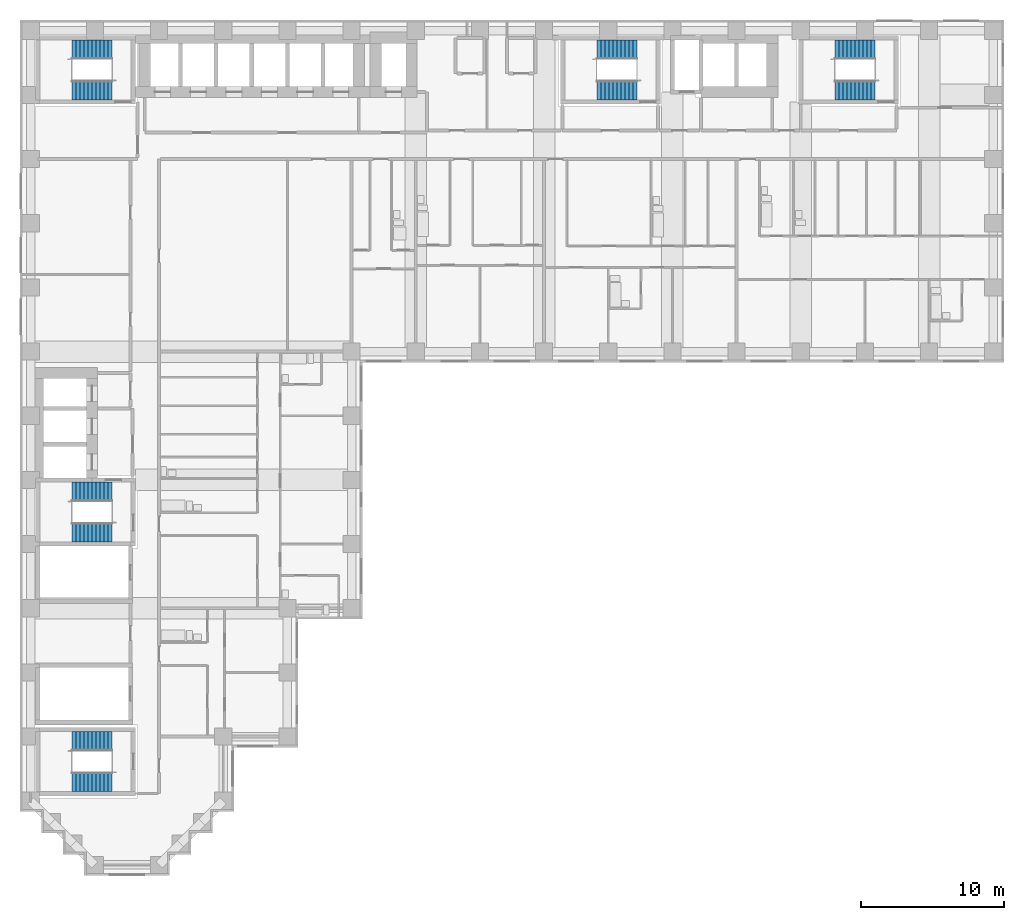
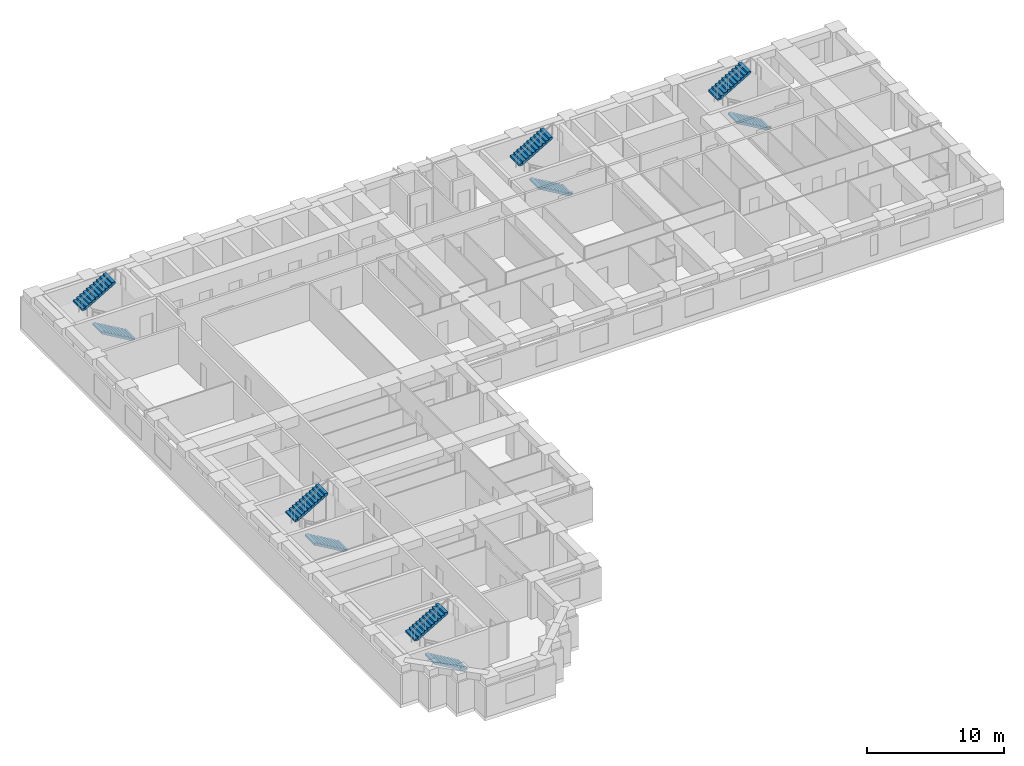
# One storey, part 10 of 12: 10 stair flights, 5 elements without a shape of their own.
"""IFC4 building model written with IfcOpenShell, lengths in metres."""

from ifc_helpers import new_model, si_unit, direction, frame, origin, place, context, subcontext, project, spatial, polyline, outline, extrude, material, type_object, element, aggregate, save


model = new_model("IFC4")

# Units and contexts
model_context = context("Model", 3, precision=1e-05, world=origin(), true_north=direction((0.0, 1.0)))
body_context = subcontext(model_context, "Body", "Model", "MODEL_VIEW")
ifc_project = project(units=[si_unit("LENGTHUNIT", "METRE"), si_unit("AREAUNIT", "SQUARE_METRE"), si_unit("VOLUMEUNIT", "CUBIC_METRE"), si_unit("PLANEANGLEUNIT", "RADIAN"), si_unit("MASSUNIT", "GRAM", prefix="KILO")], contexts=[model_context])

# Site, building, storey
site_placement = place(None, origin())
site = spatial("IfcSite", under=ifc_project, at=site_placement, CompositionType="ELEMENT")
building_placement = place(site_placement, origin())
building = spatial("IfcBuilding", under=site, at=building_placement, Name="Firuza Court", CompositionType="ELEMENT")
storey_placement = place(building_placement, frame((0.0, 0.0, 101.0)))
storey = spatial("IfcBuildingStorey", under=building, at=storey_placement, Name="L25", CompositionType="ELEMENT", Elevation=101.0)

# Stair, stair flights
ifc_material_1 = material(Name="Concrete C40/50 precast", Category="concrete")
stair_type = type_object("IfcStairType", Name="Stair 1350 x 3600 2 flights", PredefinedType="HALF_TURN_STAIR", material=ifc_material_1)
stair_1_placement = place(storey_placement, origin())
stair_1 = element("IfcStair", 1, at=stair_1_placement, inside=storey, type_object=stair_type, Name="Stair 1 L25", PredefinedType="HALF_TURN_STAIR")
ifc_material_2 = material(Name="Concrete C40/50 precast", Category="concrete")
stair_flight_type = type_object("IfcStairFlightType", Name="Flight 1350 riser 163.6", PredefinedType="STRAIGHT", material=ifc_material_2)
stair_flight_1_placement = place(storey_placement, frame((42.5, 54.324951171875, 0.0), z_axis=(0.0, 0.0, 1.0), x_axis=(-1.0, 0.0, 0.0)))
stair_flight_1 = element("IfcStairFlight", 2, at=stair_flight_1_placement, type_object=stair_flight_type, Name="S1 flight 1", NumberOfRisers=11, NumberOfTreads=10, PredefinedType="STRAIGHT", RiserHeight=0.163636364, TreadLength=0.28, context=body_context, shape_type="SweptSolid", body=[
    extrude(outline(polyline([(0.0, 0.0), (0.0, 0.16357421875), (0.280029296875, 0.16357421875), (0.280029296875, 0.327392578125), (0.56005859375, 0.327392578125), (0.56005859375, 0.490966796875), (0.840087890625, 0.490966796875), (0.840087890625, 0.654541015625), (1.1201171875, 0.654541015625), (1.1201171875, 0.818115234375), (1.39990234375, 0.818115234375), (1.39990234375, 0.98193359375), (1.679931640625, 0.98193359375), (1.679931640625, 1.1455078125), (1.9599609375, 1.1455078125), (1.9599609375, 1.30908203125), (2.239990234375, 1.30908203125), (2.239990234375, 1.47265625), (2.52001953125, 1.47265625), (2.52001953125, 1.636474609375), (2.800048828125, 1.636474609375), (2.800048828125, 1.800048828125), (2.800048828125, 1.462646484375), (0.297119140625, 0.0), (0.0, 0.0)])), frame((0.0, 0.675048828125, 0.0), z_axis=(0.0, -1.0, 0.0), x_axis=(1.0, 0.0, 0.0)), (0.0, 0.0, 1.0), 1.35009765625),
])
stair_flight_2_placement = place(storey_placement, frame((39.699951171875, 57.175048828125, 1.800048828125), z_axis=(0.0, 0.0, 1.0), x_axis=(1.0, 0.0, 0.0)))
stair_flight_2 = element("IfcStairFlight", 3, at=stair_flight_2_placement, type_object=stair_flight_type, Name="S1 flight 2", NumberOfRisers=11, NumberOfTreads=10, PredefinedType="STRAIGHT", RiserHeight=0.163636364, TreadLength=0.28, context=body_context, shape_type="SweptSolid", body=[
    extrude(outline(polyline([(0.0, 0.0), (0.0, 0.16357421875), (0.280029296875, 0.16357421875), (0.280029296875, 0.327392578125), (0.56005859375, 0.327392578125), (0.56005859375, 0.490966796875), (0.840087890625, 0.490966796875), (0.840087890625, 0.654541015625), (1.1201171875, 0.654541015625), (1.1201171875, 0.818115234375), (1.39990234375, 0.818115234375), (1.39990234375, 0.98193359375), (1.679931640625, 0.98193359375), (1.679931640625, 1.1455078125), (1.9599609375, 1.1455078125), (1.9599609375, 1.30908203125), (2.239990234375, 1.30908203125), (2.239990234375, 1.47265625), (2.52001953125, 1.47265625), (2.52001953125, 1.636474609375), (2.800048828125, 1.636474609375), (2.800048828125, 1.800048828125), (2.800048828125, 1.462646484375), (0.297119140625, 0.0), (0.0, 0.0)])), frame((0.0, 0.675048828125, 0.0), z_axis=(0.0, -1.0, 0.0), x_axis=(1.0, 0.0, 0.0)), (0.0, 0.0, 1.0), 1.35009765625),
])
aggregate(stair_1, [stair_flight_1, stair_flight_2])

stair_2_placement = place(storey_placement, origin())
stair_2 = element("IfcStair", 4, at=stair_2_placement, inside=storey, type_object=stair_type, Name="Stair 2 L25", PredefinedType="HALF_TURN_STAIR")
stair_flight_3_placement = place(storey_placement, frame((5.699951171875, 23.324951171875, 0.0), z_axis=(0.0, 0.0, 1.0), x_axis=(-1.0, 0.0, 0.0)))
stair_flight_3 = element("IfcStairFlight", 5, at=stair_flight_3_placement, type_object=stair_flight_type, Name="S2 flight 1", NumberOfRisers=11, NumberOfTreads=10, PredefinedType="STRAIGHT", RiserHeight=0.163636364, TreadLength=0.28, context=body_context, shape_type="SweptSolid", body=[
    extrude(outline(polyline([(0.0, 0.0), (0.0, 0.16357421875), (0.280029296875, 0.16357421875), (0.280029296875, 0.327392578125), (0.56005859375, 0.327392578125), (0.56005859375, 0.490966796875), (0.840087890625, 0.490966796875), (0.840087890625, 0.654541015625), (1.1201171875, 0.654541015625), (1.1201171875, 0.818115234375), (1.39990234375, 0.818115234375), (1.39990234375, 0.98193359375), (1.679931640625, 0.98193359375), (1.679931640625, 1.1455078125), (1.9599609375, 1.1455078125), (1.9599609375, 1.30908203125), (2.239990234375, 1.30908203125), (2.239990234375, 1.47265625), (2.52001953125, 1.47265625), (2.52001953125, 1.636474609375), (2.800048828125, 1.636474609375), (2.800048828125, 1.800048828125), (2.800048828125, 1.462646484375), (0.297119140625, 0.0), (0.0, 0.0)])), frame((0.0, 0.675048828125, 0.0), z_axis=(0.0, -1.0, 0.0), x_axis=(1.0, 0.0, 0.0)), (0.0, 0.0, 1.0), 1.35009765625),
])
stair_flight_4_placement = place(storey_placement, frame((2.89990234375, 26.175048828125, 1.800048828125), z_axis=(0.0, 0.0, 1.0), x_axis=(1.0, 0.0, 0.0)))
stair_flight_4 = element("IfcStairFlight", 6, at=stair_flight_4_placement, type_object=stair_flight_type, Name="S2 flight 2", NumberOfRisers=11, NumberOfTreads=10, PredefinedType="STRAIGHT", RiserHeight=0.163636364, TreadLength=0.28, context=body_context, shape_type="SweptSolid", body=[
    extrude(outline(polyline([(0.0, 0.0), (0.0, 0.16357421875), (0.280029296875, 0.16357421875), (0.280029296875, 0.327392578125), (0.56005859375, 0.327392578125), (0.56005859375, 0.490966796875), (0.840087890625, 0.490966796875), (0.840087890625, 0.654541015625), (1.1201171875, 0.654541015625), (1.1201171875, 0.818115234375), (1.39990234375, 0.818115234375), (1.39990234375, 0.98193359375), (1.679931640625, 0.98193359375), (1.679931640625, 1.1455078125), (1.9599609375, 1.1455078125), (1.9599609375, 1.30908203125), (2.239990234375, 1.30908203125), (2.239990234375, 1.47265625), (2.52001953125, 1.47265625), (2.52001953125, 1.636474609375), (2.800048828125, 1.636474609375), (2.800048828125, 1.800048828125), (2.800048828125, 1.462646484375), (0.297119140625, 0.0), (0.0, 0.0)])), frame((0.0, 0.675048828125, 0.0), z_axis=(0.0, -1.0, 0.0), x_axis=(1.0, 0.0, 0.0)), (0.0, 0.0, 1.0), 1.35009765625),
])
aggregate(stair_2, [stair_flight_3, stair_flight_4])

stair_3_placement = place(storey_placement, origin())
stair_3 = element("IfcStair", 7, at=stair_3_placement, inside=storey, type_object=stair_type, Name="Stair 3 L25", PredefinedType="HALF_TURN_STAIR")
stair_flight_5_placement = place(storey_placement, frame((5.699951171875, 54.324951171875, 0.0), z_axis=(0.0, 0.0, 1.0), x_axis=(-1.0, 0.0, 0.0)))
stair_flight_5 = element("IfcStairFlight", 8, at=stair_flight_5_placement, type_object=stair_flight_type, Name="S3 flight 1", NumberOfRisers=11, NumberOfTreads=10, PredefinedType="STRAIGHT", RiserHeight=0.163636364, TreadLength=0.28, context=body_context, shape_type="SweptSolid", body=[
    extrude(outline(polyline([(0.0, 0.0), (0.0, 0.16357421875), (0.280029296875, 0.16357421875), (0.280029296875, 0.327392578125), (0.56005859375, 0.327392578125), (0.56005859375, 0.490966796875), (0.840087890625, 0.490966796875), (0.840087890625, 0.654541015625), (1.1201171875, 0.654541015625), (1.1201171875, 0.818115234375), (1.39990234375, 0.818115234375), (1.39990234375, 0.98193359375), (1.679931640625, 0.98193359375), (1.679931640625, 1.1455078125), (1.9599609375, 1.1455078125), (1.9599609375, 1.30908203125), (2.239990234375, 1.30908203125), (2.239990234375, 1.47265625), (2.52001953125, 1.47265625), (2.52001953125, 1.636474609375), (2.800048828125, 1.636474609375), (2.800048828125, 1.800048828125), (2.800048828125, 1.462646484375), (0.297119140625, 0.0), (0.0, 0.0)])), frame((0.0, 0.675048828125, 0.0), z_axis=(0.0, -1.0, 0.0), x_axis=(1.0, 0.0, 0.0)), (0.0, 0.0, 1.0), 1.35009765625),
])
stair_flight_6_placement = place(storey_placement, frame((2.89990234375, 57.175048828125, 1.800048828125), z_axis=(0.0, 0.0, 1.0), x_axis=(1.0, 0.0, 0.0)))
stair_flight_6 = element("IfcStairFlight", 9, at=stair_flight_6_placement, type_object=stair_flight_type, Name="S3 flight 2", NumberOfRisers=11, NumberOfTreads=10, PredefinedType="STRAIGHT", RiserHeight=0.163636364, TreadLength=0.28, context=body_context, shape_type="SweptSolid", body=[
    extrude(outline(polyline([(0.0, 0.0), (0.0, 0.16357421875), (0.280029296875, 0.16357421875), (0.280029296875, 0.327392578125), (0.56005859375, 0.327392578125), (0.56005859375, 0.490966796875), (0.840087890625, 0.490966796875), (0.840087890625, 0.654541015625), (1.1201171875, 0.654541015625), (1.1201171875, 0.818115234375), (1.39990234375, 0.818115234375), (1.39990234375, 0.98193359375), (1.679931640625, 0.98193359375), (1.679931640625, 1.1455078125), (1.9599609375, 1.1455078125), (1.9599609375, 1.30908203125), (2.239990234375, 1.30908203125), (2.239990234375, 1.47265625), (2.52001953125, 1.47265625), (2.52001953125, 1.636474609375), (2.800048828125, 1.636474609375), (2.800048828125, 1.800048828125), (2.800048828125, 1.462646484375), (0.297119140625, 0.0), (0.0, 0.0)])), frame((0.0, 0.675048828125, 0.0), z_axis=(0.0, -1.0, 0.0), x_axis=(1.0, 0.0, 0.0)), (0.0, 0.0, 1.0), 1.35009765625),
])
aggregate(stair_3, [stair_flight_5, stair_flight_6])

stair_4_placement = place(storey_placement, origin())
stair_4 = element("IfcStair", 10, at=stair_4_placement, inside=storey, type_object=stair_type, Name="Stair 4 L25", PredefinedType="HALF_TURN_STAIR")
stair_flight_7_placement = place(storey_placement, frame((59.199951171875, 54.324951171875, 0.0), z_axis=(0.0, 0.0, 1.0), x_axis=(-1.0, 0.0, 0.0)))
stair_flight_7 = element("IfcStairFlight", 11, at=stair_flight_7_placement, type_object=stair_flight_type, Name="S4 flight 1", NumberOfRisers=11, NumberOfTreads=10, PredefinedType="STRAIGHT", RiserHeight=0.163636364, TreadLength=0.28, context=body_context, shape_type="SweptSolid", body=[
    extrude(outline(polyline([(0.0, 0.0), (0.0, 0.16357421875), (0.280029296875, 0.16357421875), (0.280029296875, 0.327392578125), (0.56005859375, 0.327392578125), (0.56005859375, 0.490966796875), (0.840087890625, 0.490966796875), (0.840087890625, 0.654541015625), (1.1201171875, 0.654541015625), (1.1201171875, 0.818115234375), (1.39990234375, 0.818115234375), (1.39990234375, 0.98193359375), (1.679931640625, 0.98193359375), (1.679931640625, 1.1455078125), (1.9599609375, 1.1455078125), (1.9599609375, 1.30908203125), (2.239990234375, 1.30908203125), (2.239990234375, 1.47265625), (2.52001953125, 1.47265625), (2.52001953125, 1.636474609375), (2.800048828125, 1.636474609375), (2.800048828125, 1.800048828125), (2.800048828125, 1.462646484375), (0.297119140625, 0.0), (0.0, 0.0)])), frame((0.0, 0.675048828125, 0.0), z_axis=(0.0, -1.0, 0.0), x_axis=(1.0, 0.0, 0.0)), (0.0, 0.0, 1.0), 1.35009765625),
])
stair_flight_8_placement = place(storey_placement, frame((56.39990234375, 57.175048828125, 1.800048828125), z_axis=(0.0, 0.0, 1.0), x_axis=(1.0, 0.0, 0.0)))
stair_flight_8 = element("IfcStairFlight", 12, at=stair_flight_8_placement, type_object=stair_flight_type, Name="S4 flight 2", NumberOfRisers=11, NumberOfTreads=10, PredefinedType="STRAIGHT", RiserHeight=0.163636364, TreadLength=0.28, context=body_context, shape_type="SweptSolid", body=[
    extrude(outline(polyline([(0.0, 0.0), (0.0, 0.16357421875), (0.280029296875, 0.16357421875), (0.280029296875, 0.327392578125), (0.56005859375, 0.327392578125), (0.56005859375, 0.490966796875), (0.840087890625, 0.490966796875), (0.840087890625, 0.654541015625), (1.1201171875, 0.654541015625), (1.1201171875, 0.818115234375), (1.39990234375, 0.818115234375), (1.39990234375, 0.98193359375), (1.679931640625, 0.98193359375), (1.679931640625, 1.1455078125), (1.9599609375, 1.1455078125), (1.9599609375, 1.30908203125), (2.239990234375, 1.30908203125), (2.239990234375, 1.47265625), (2.52001953125, 1.47265625), (2.52001953125, 1.636474609375), (2.800048828125, 1.636474609375), (2.800048828125, 1.800048828125), (2.800048828125, 1.462646484375), (0.297119140625, 0.0), (0.0, 0.0)])), frame((0.0, 0.675048828125, 0.0), z_axis=(0.0, -1.0, 0.0), x_axis=(1.0, 0.0, 0.0)), (0.0, 0.0, 1.0), 1.35009765625),
])
aggregate(stair_4, [stair_flight_7, stair_flight_8])

stair_5_placement = place(storey_placement, origin())
stair_5 = element("IfcStair", 13, at=stair_5_placement, inside=storey, type_object=stair_type, Name="Stair 5 L25", PredefinedType="HALF_TURN_STAIR")
stair_flight_9_placement = place(storey_placement, frame((5.699951171875, 5.824951171875, 0.0), z_axis=(0.0, 0.0, 1.0), x_axis=(-1.0, 0.0, 0.0)))
stair_flight_9 = element("IfcStairFlight", 14, at=stair_flight_9_placement, type_object=stair_flight_type, Name="S5 flight 1", NumberOfRisers=11, NumberOfTreads=10, PredefinedType="STRAIGHT", RiserHeight=0.163636364, TreadLength=0.28, context=body_context, shape_type="SweptSolid", body=[
    extrude(outline(polyline([(0.0, 0.0), (0.0, 0.16357421875), (0.280029296875, 0.16357421875), (0.280029296875, 0.327392578125), (0.56005859375, 0.327392578125), (0.56005859375, 0.490966796875), (0.840087890625, 0.490966796875), (0.840087890625, 0.654541015625), (1.1201171875, 0.654541015625), (1.1201171875, 0.818115234375), (1.39990234375, 0.818115234375), (1.39990234375, 0.98193359375), (1.679931640625, 0.98193359375), (1.679931640625, 1.1455078125), (1.9599609375, 1.1455078125), (1.9599609375, 1.30908203125), (2.239990234375, 1.30908203125), (2.239990234375, 1.47265625), (2.52001953125, 1.47265625), (2.52001953125, 1.636474609375), (2.800048828125, 1.636474609375), (2.800048828125, 1.800048828125), (2.800048828125, 1.462646484375), (0.297119140625, 0.0), (0.0, 0.0)])), frame((0.0, 0.675048828125, 0.0), z_axis=(0.0, -1.0, 0.0), x_axis=(1.0, 0.0, 0.0)), (0.0, 0.0, 1.0), 1.35009765625),
])
stair_flight_10_placement = place(storey_placement, frame((2.89990234375, 8.675048828125, 1.800048828125), z_axis=(0.0, 0.0, 1.0), x_axis=(1.0, 0.0, 0.0)))
stair_flight_10 = element("IfcStairFlight", 15, at=stair_flight_10_placement, type_object=stair_flight_type, Name="S5 flight 2", NumberOfRisers=11, NumberOfTreads=10, PredefinedType="STRAIGHT", RiserHeight=0.163636364, TreadLength=0.28, context=body_context, shape_type="SweptSolid", body=[
    extrude(outline(polyline([(0.0, 0.0), (0.0, 0.16357421875), (0.280029296875, 0.16357421875), (0.280029296875, 0.327392578125), (0.56005859375, 0.327392578125), (0.56005859375, 0.490966796875), (0.840087890625, 0.490966796875), (0.840087890625, 0.654541015625), (1.1201171875, 0.654541015625), (1.1201171875, 0.818115234375), (1.39990234375, 0.818115234375), (1.39990234375, 0.98193359375), (1.679931640625, 0.98193359375), (1.679931640625, 1.1455078125), (1.9599609375, 1.1455078125), (1.9599609375, 1.30908203125), (2.239990234375, 1.30908203125), (2.239990234375, 1.47265625), (2.52001953125, 1.47265625), (2.52001953125, 1.636474609375), (2.800048828125, 1.636474609375), (2.800048828125, 1.800048828125), (2.800048828125, 1.462646484375), (0.297119140625, 0.0), (0.0, 0.0)])), frame((0.0, 0.675048828125, 0.0), z_axis=(0.0, -1.0, 0.0), x_axis=(1.0, 0.0, 0.0)), (0.0, 0.0, 1.0), 1.35009765625),
])
aggregate(stair_5, [stair_flight_9, stair_flight_10])

save(model, "model.ifc")
